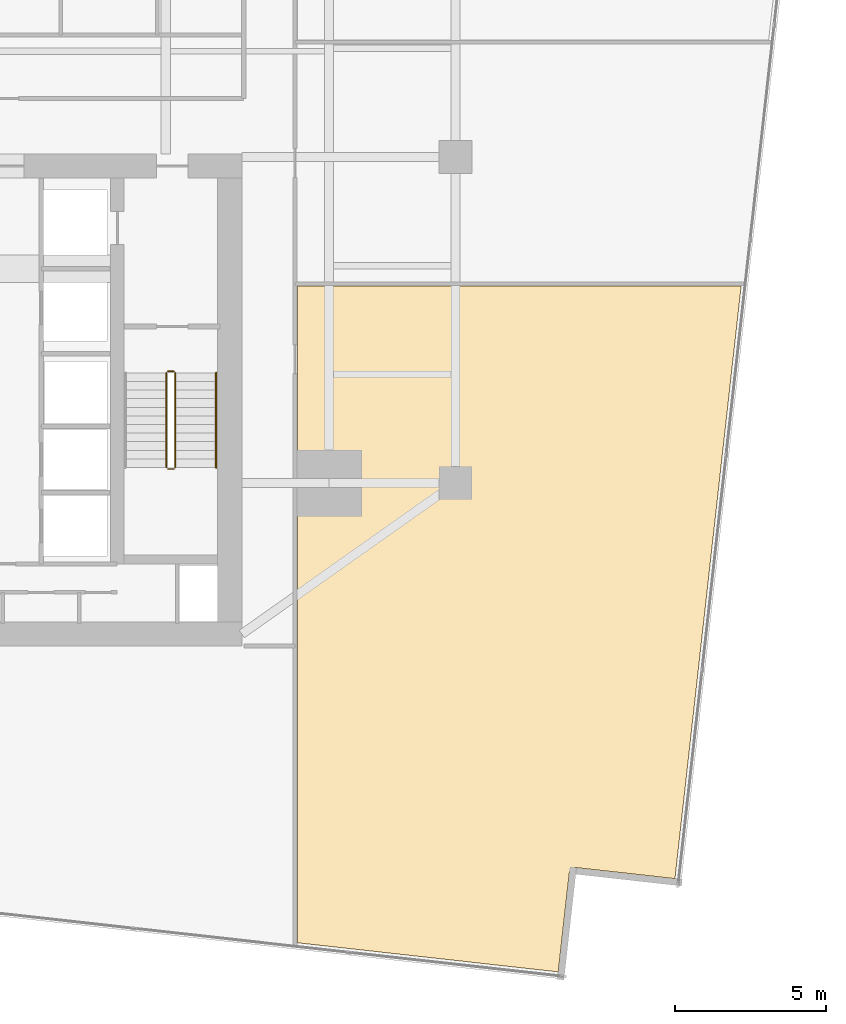
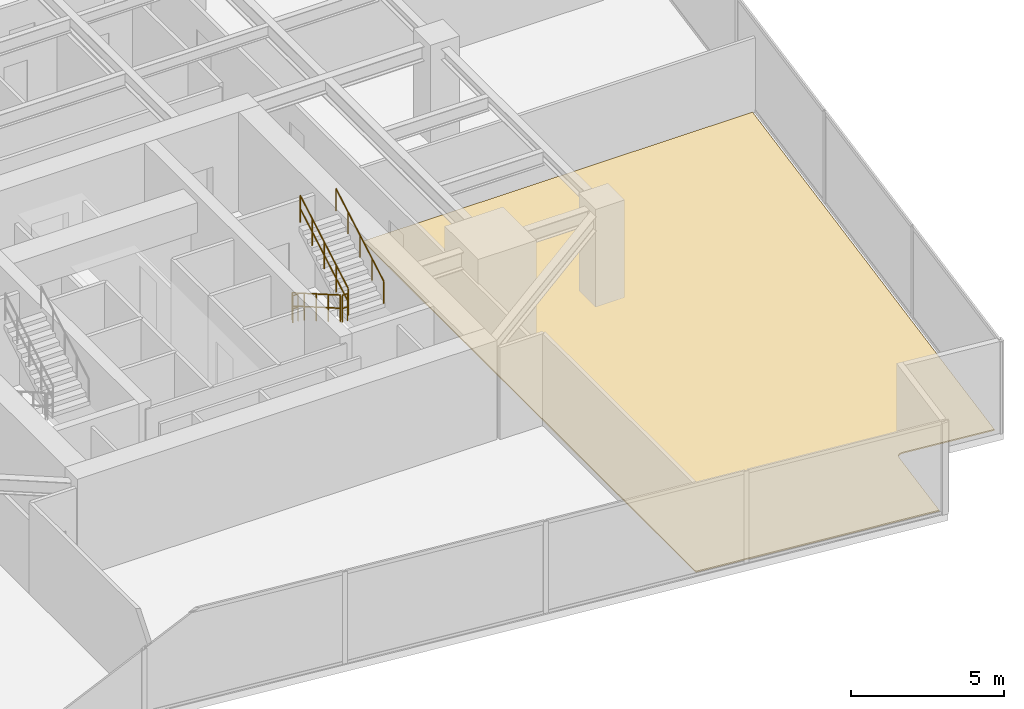
# One storey, part 29 of 31: 5 railings, 1 covering.
"""IFC4 building model written with IfcOpenShell, lengths in metres."""

import ifcopenshell
import ifcopenshell.guid

model = None  # the IFC model being written
_history = None  # IfcOwnerHistory: only IFC2X3 demands one
_inside = {}  # id of a spatial element -> (the spatial element, [elements in it])
_under = {}  # id of a project, library or spatial element -> (it, [spatial elements below it])
_declared = {}  # id of a project -> (the project, [libraries it declares])
_typed = {}  # id of a type object -> (the type object, [elements of that type])
_made_of = {}  # id of a material, layer set ... -> (it, [elements and type objects made of it])


def new_model(schema):
    """Start an empty IFC model of exactly this schema.

    Asked for "IFC4X3", IfcOpenShell would pick the latest addendum, in which some entities
    have other attributes; the version numbers below select the first issue.
    IFC2X3 requires an IfcOwnerHistory on every rooted entity: one is made here for all.
    """
    global model, _history
    if schema == "IFC4X3":
        model = ifcopenshell.file(schema_version=(4, 3, 0, 0))
    else:
        model = ifcopenshell.file(schema=schema)
    _inside.clear()
    _under.clear()
    _declared.clear()
    _typed.clear()
    _made_of.clear()
    _history = None
    if model.schema == "IFC2X3":
        org = make("IfcOrganization", Name="unknown")
        user = make(
            "IfcPersonAndOrganization",
            ThePerson=make("IfcPerson", FamilyName="unknown"),
            TheOrganization=org,
        )
        app = make(
            "IfcApplication",
            ApplicationDeveloper=org,
            Version="unknown",
            ApplicationFullName="unknown",
            ApplicationIdentifier="unknown",
        )
        _history = make(
            "IfcOwnerHistory",
            OwningUser=user,
            OwningApplication=app,
            ChangeAction="ADDED",
            CreationDate=0,
        )
    return model


def make(cls, **values):
    """One entity of the class cls with the attributes given. An attribute that is None is left unset."""
    return model.create_entity(
        cls, **{name: value for name, value in values.items() if value is not None}
    )


def rooted(cls, **values):
    """An entity with a GlobalId (a new one), such as an element, a storey or a relation."""
    return make(cls, GlobalId=ifcopenshell.guid.new(), OwnerHistory=_history, **values)


def si_unit(unit_type, name, prefix=None):
    """IfcSIUnit, for example si_unit("LENGTHUNIT", "METRE", prefix="MILLI")."""
    return make("IfcSIUnit", UnitType=unit_type, Prefix=prefix, Name=name)


def assignment(units):
    """IfcUnitAssignment: the units of a project."""
    return None if units is None else make("IfcUnitAssignment", Units=units)


def point(xyz):
    """IfcCartesianPoint."""
    return None if xyz is None else make("IfcCartesianPoint", Coordinates=xyz)


def direction(xyz):
    """IfcDirection."""
    return None if xyz is None else make("IfcDirection", DirectionRatios=xyz)


def frame(location, z_axis=None, x_axis=None):
    """IfcAxis2Placement3D, a coordinate frame: its origin and axes. An axis left out is left unset."""
    return make(
        "IfcAxis2Placement3D",
        Location=point(location),
        Axis=direction(z_axis),
        RefDirection=direction(x_axis),
    )


def frame_2d(location, x_axis=None):
    """IfcAxis2Placement2D, a coordinate frame in the plane: its origin and x axis."""
    return make(
        "IfcAxis2Placement2D", Location=point(location), RefDirection=direction(x_axis)
    )


def origin():
    """The frame at (0, 0, 0) with its axes left unset."""
    return frame((0.0, 0.0, 0.0))


def origin_2d():
    """The frame at (0, 0) in the plane with its x axis left unset."""
    return frame_2d((0.0, 0.0))


def place(relative_to, where):
    """IfcLocalPlacement: puts the frame where relative to a parent placement (None: the world)."""
    return make(
        "IfcLocalPlacement", PlacementRelTo=relative_to, RelativePlacement=where
    )


def context(
    kind, dimensions, precision=None, world=None, true_north=None, identifier=None
):
    """IfcGeometricRepresentationContext, for example the 3D "Model" context."""
    return make(
        "IfcGeometricRepresentationContext",
        ContextIdentifier=identifier,
        ContextType=kind,
        CoordinateSpaceDimension=dimensions,
        Precision=precision,
        WorldCoordinateSystem=world,
        TrueNorth=true_north,
    )


def subcontext(parent, identifier, kind, view, scale=None):
    """IfcGeometricRepresentationSubContext, for example "Body" below "Model"."""
    return make(
        "IfcGeometricRepresentationSubContext",
        ContextIdentifier=identifier,
        ContextType=kind,
        ParentContext=parent,
        TargetScale=scale,
        TargetView=view,
    )


def project(units=None, contexts=None):
    """IfcProject with its units and contexts."""
    return rooted(
        "IfcProject",
        Name="project",
        RepresentationContexts=contexts,
        UnitsInContext=assignment(units),
    )


def spatial(cls, under=None, at=None, **own):
    """A site, building, storey or space (cls), placed at a placement, below another one or the project."""
    s = rooted(cls, ObjectPlacement=at, **own)
    if under is not None:
        _under.setdefault(under.id(), (under, []))[1].append(s)
    return s


def polyline(points):
    """IfcPolyline through the points."""
    return make("IfcPolyline", Points=[point(p) for p in points])


def profile(cls, at=None, kind="AREA", **sizes):
    """A parametric profile (cls). Its sizes go by their IFC names, for example OverallWidth=200.0."""
    return make(cls, ProfileType=kind, Position=at, **sizes)


def circle(**sizes):
    """IfcCircleProfileDef."""
    return profile("IfcCircleProfileDef", **sizes)


def outline(outer, holes=None, kind="AREA"):
    """IfcArbitraryClosedProfileDef: a profile drawn as a closed curve; with holes, ...WithVoids."""
    if holes is None:
        return make("IfcArbitraryClosedProfileDef", ProfileType=kind, OuterCurve=outer)
    return make(
        "IfcArbitraryProfileDefWithVoids",
        ProfileType=kind,
        OuterCurve=outer,
        InnerCurves=holes,
    )


def extrude(swept, where, along, depth):
    """IfcExtrudedAreaSolid: the profile swept, set in the frame where, extruded along a direction by depth."""
    return make(
        "IfcExtrudedAreaSolid",
        SweptArea=swept,
        Position=where,
        ExtrudedDirection=direction(along),
        Depth=depth,
    )


def shape(context_of_items, identifier, shape_type, items):
    """IfcShapeRepresentation: the items that make up one representation, for example the "Body"."""
    return make(
        "IfcShapeRepresentation",
        ContextOfItems=context_of_items,
        RepresentationIdentifier=identifier,
        RepresentationType=shape_type,
        Items=items,
    )


def material(Name=None, Category=None):
    """IfcMaterial."""
    return make("IfcMaterial", Name=Name, Category=Category)


def layer(
    of_material, thickness, ventilated=None, Name=None, Category=None, Priority=None
):
    """IfcMaterialLayer: one layer of a wall or slab, of a material (None: an air gap)."""
    return make(
        "IfcMaterialLayer",
        Material=of_material,
        LayerThickness=thickness,
        IsVentilated=ventilated,
        Name=Name,
        Category=Category,
        Priority=Priority,
    )


def layer_set(layers, Name=None):
    """IfcMaterialLayerSet."""
    return make("IfcMaterialLayerSet", MaterialLayers=layers, LayerSetName=Name)


def made_of(thing, what):
    """Note that an element or type object is made of a material, layer set ...; save() writes the relation."""
    if what is not None:
        _made_of.setdefault(what.id(), (what, []))[1].append(thing)
    return thing


def type_object(cls, material=None, **own):
    """A type object (cls), such as IfcWallType, which elements share."""
    return made_of(rooted(cls, **own), material)


def element(
    cls,
    number,
    at=None,
    inside=None,
    cuts=None,
    type_object=None,
    material=None,
    context=None,
    identifier="Body",
    shape_type=None,
    held_by="IfcProductDefinitionShape",
    body=None,
    shapes=None,
    **own,
):
    """One element of the class cls, such as IfcWall. Its Tag is "e" and its number.

    at: its placement. inside: the storey or other place that contains it. cuts: it is an
    opening in that element (IfcRelVoidsElement). A single representation is given by context,
    identifier, shape_type and body (its items); several are given by shapes. held_by: the class
    of the entity that holds the representations. save() writes the other relations.
    """
    e = rooted(cls, Tag="e%d" % number, ObjectPlacement=at, **own)
    if body is not None:
        shapes = [shape(context, identifier, shape_type, body)]
    if shapes is not None:
        e.Representation = make(held_by, Representations=shapes)
    if inside is not None:
        _inside.setdefault(inside.id(), (inside, []))[1].append(e)
    if cuts is not None:
        rooted(
            "IfcRelVoidsElement", RelatingBuildingElement=cuts, RelatedOpeningElement=e
        )
    if type_object is not None:
        _typed.setdefault(type_object.id(), (type_object, []))[1].append(e)
    return made_of(e, material)


def aggregate(whole, parts):
    """IfcRelAggregates: a whole, such as a stair, and the parts it consists of."""
    return rooted("IfcRelAggregates", RelatingObject=whole, RelatedObjects=parts)


def save(model, path):
    """Write the relations noted so far, then the file.

    IfcRelAggregates (storeys below a building ...), IfcRelContainedInSpatialStructure (elements
    in a storey), IfcRelDefinesByType, IfcRelAssociatesMaterial and IfcRelDeclares: one each for
    every whole, place, type object, material and project.
    """
    for whole, parts in _under.values():
        aggregate(whole, parts)
    for where, things in _inside.values():
        rooted(
            "IfcRelContainedInSpatialStructure",
            RelatedElements=things,
            RelatingStructure=where,
        )
    for kind, things in _typed.values():
        rooted("IfcRelDefinesByType", RelatedObjects=things, RelatingType=kind)
    for what, things in _made_of.values():
        rooted("IfcRelAssociatesMaterial", RelatedObjects=things, RelatingMaterial=what)
    for by, libraries in _declared.values():
        rooted("IfcRelDeclares", RelatingContext=by, RelatedDefinitions=libraries)
    model.write(path)


model = new_model("IFC4")

# Units and contexts
model_context = context("Model", 3, precision=1e-05, world=origin(), true_north=direction((0.0, 1.0)))
body_context = subcontext(model_context, "Body", "Model", "MODEL_VIEW")
ifc_project = project(units=[si_unit("LENGTHUNIT", "METRE"), si_unit("AREAUNIT", "SQUARE_METRE"), si_unit("VOLUMEUNIT", "CUBIC_METRE"), si_unit("PLANEANGLEUNIT", "RADIAN"), si_unit("MASSUNIT", "GRAM", prefix="KILO")], contexts=[model_context])

# Site, building, storey
site_placement = place(None, origin())
site = spatial("IfcSite", under=ifc_project, at=site_placement, CompositionType="ELEMENT")
building_placement = place(site_placement, origin())
building = spatial("IfcBuilding", under=site, at=building_placement, Name="Krantzveldt Concourse Tower", CompositionType="ELEMENT")
storey_placement = place(building_placement, frame((0.0, 0.0, 56.60009765625)))
storey = spatial("IfcBuildingStorey", under=building, at=storey_placement, Name="L13", CompositionType="ELEMENT", Elevation=56.60009765625)

# Covering
ifc_material_1 = material(Name="Calcium-sulphate raised access floor panel", Category="flooring")
ifc_layer_1 = layer(ifc_material_1, 0.050048828125, Name="Calcium-sulphate raised access floor panel", Category="flooring")
ifc_layer_set_1 = layer_set([ifc_layer_1], Name="Calcium-sulphate raised access floor panel (COV-FLOOR-RAISED)")
covering_type = type_object("IfcCoveringType", Name="COV-FLOOR-RAISED", PredefinedType="FLOORING", material=ifc_layer_set_1)
covering_placement = place(storey_placement, origin())
element("IfcCovering", 1, at=covering_placement, inside=storey, type_object=covering_type, Name="FLR-SP-L13-ER1", PredefinedType="FLOORING", context=body_context, shape_type="SweptSolid", body=[
    extrude(outline(polyline([(60.4560546875, 22.419921875), (58.263916015625, 2.800048828125), (55.004150390625, 3.164306640625), (54.982666015625, 3.165771484375), (54.961181640625, 3.164794921875), (54.939697265625, 3.162109375), (54.918701171875, 3.156982421875), (54.898193359375, 3.150146484375), (54.878662109375, 3.14111328125), (54.85986328125, 3.130126953125), (54.842529296875, 3.11767578125), (54.826171875, 3.103271484375), (54.8115234375, 3.08740234375), (54.798583984375, 3.0703125), (54.787109375, 3.052001953125), (54.777587890625, 3.032470703125), (54.77001953125, 3.01220703125), (54.7646484375, 2.991455078125), (54.76123046875, 2.97021484375), (54.39697265625, -0.28955078125), (45.760009765625, 0.67529296875), (45.760009765625, 22.419921875), (60.4560546875, 22.419921875)])), origin(), (0.0, 0.0, 1.0), 0.0498046875),
])

# Railings
ifc_material_2 = material(Name="Stainless steel 316L", Category="steel")
ifc_layer_2 = layer(ifc_material_2, 0.06005859375, Name="Stainless steel 316L", Category="steel")
ifc_layer_set_2 = layer_set([ifc_layer_2], Name="Stainless steel 316L (RL-GUARD-1120)")
railing_type_1 = type_object("IfcRailingType", Name="RL-GUARD-1120", PredefinedType="GUARDRAIL", material=ifc_layer_set_2)
railing_1_placement = place(storey_placement, frame((41.419921875, 19.550048828125, 0.16455078125)))
element("IfcRailing", 2, at=railing_1_placement, inside=storey, type_object=railing_type_1, Name="L13 ST-2 stair guard 1", PredefinedType="GUARDRAIL", context=body_context, shape_type="SweptSolid", body=[
    extrude(circle(Radius=0.02392578125, at=origin_2d()), frame((0.0, 0.0, 1.076171875), z_axis=(0.0, -0.865989039225, 0.500062979975), x_axis=(1.0, 0.0, 0.0)), (0.0, 0.0, 1.0), 3.6201171875),
    extrude(circle(Radius=0.02392578125, at=origin_2d()), frame((0.0, 0.0, 0.550048828125), z_axis=(0.0, -0.865989039225, 0.500062979975), x_axis=(1.0, 0.0, 0.0)), (0.0, 0.0, 1.0), 3.6201171875),
    extrude(circle(Radius=0.02099609375, at=origin_2d()), origin(), (0.0, 0.0, 1.0), 1.052001953125),
    extrude(circle(Radius=0.02099609375, at=origin_2d()), frame((0.0, -0.78369140625, 0.45263671875)), (0.0, 0.0, 1.0), 1.052001953125),
    extrude(circle(Radius=0.02099609375, at=origin_2d()), frame((0.0, -1.5673828125, 0.9052734375)), (0.0, 0.0, 1.0), 1.052001953125),
    extrude(circle(Radius=0.02099609375, at=origin_2d()), frame((0.0, -2.351318359375, 1.357666015625)), (0.0, 0.0, 1.0), 1.052001953125),
    extrude(circle(Radius=0.02099609375, at=origin_2d()), frame((0.0, -3.135009765625, 1.810302734375)), (0.0, 0.0, 1.0), 1.052001953125),
])
railing_2_placement = place(storey_placement, frame((41.469970703125, 16.364990234375, 1.974853515625)))
element("IfcRailing", 3, at=railing_2_placement, inside=storey, type_object=railing_type_1, Name="L13 ST-2 stair guard 2", PredefinedType="GUARDRAIL", context=body_context, shape_type="SweptSolid", body=[
    extrude(circle(Radius=0.02392578125, at=origin_2d()), frame((0.0, 0.0, 1.076171875), z_axis=(1.0, 0.0, 0.0), x_axis=(0.0, 1.0, 0.0)), (0.0, 0.0, 1.0), 0.199951171875),
    extrude(circle(Radius=0.02392578125, at=origin_2d()), frame((0.0, 0.0, 0.550048828125), z_axis=(1.0, 0.0, 0.0), x_axis=(0.0, 1.0, 0.0)), (0.0, 0.0, 1.0), 0.199951171875),
    extrude(circle(Radius=0.02099609375, at=origin_2d()), origin(), (0.0, 0.0, 1.0), 1.052001953125),
    extrude(circle(Radius=0.02099609375, at=origin_2d()), frame((0.199951171875, 0.0, 0.0)), (0.0, 0.0, 1.0), 1.052001953125),
])
railing_3_placement = place(storey_placement, frame((41.719970703125, 16.4150390625, 2.139404296875)))
element("IfcRailing", 4, at=railing_3_placement, inside=storey, type_object=railing_type_1, Name="L13 ST-2 stair guard 3", PredefinedType="GUARDRAIL", context=body_context, shape_type="SweptSolid", body=[
    extrude(circle(Radius=0.02392578125, at=origin_2d()), frame((0.0, 0.0, 1.076171875), z_axis=(0.0, 0.865959834175, 0.500113552702), x_axis=(-1.0, 0.0, 0.0)), (0.0, 0.0, 1.0), 3.620361328125),
    extrude(circle(Radius=0.02392578125, at=origin_2d()), frame((0.0, 0.0, 0.550048828125), z_axis=(0.0, 0.865959834175, 0.500113552702), x_axis=(-1.0, 0.0, 0.0)), (0.0, 0.0, 1.0), 3.620361328125),
    extrude(circle(Radius=0.02099609375, at=origin_2d()), origin(), (0.0, 0.0, 1.0), 1.052001953125),
    extrude(circle(Radius=0.02099609375, at=origin_2d()), frame((0.0, 0.78369140625, 0.45263671875)), (0.0, 0.0, 1.0), 1.052001953125),
    extrude(circle(Radius=0.02099609375, at=origin_2d()), frame((0.0, 1.5673828125, 0.9052734375)), (0.0, 0.0, 1.0), 1.052001953125),
    extrude(circle(Radius=0.02099609375, at=origin_2d()), frame((0.0, 2.351318359375, 1.35791015625)), (0.0, 0.0, 1.0), 1.052001953125),
    extrude(circle(Radius=0.02099609375, at=origin_2d()), frame((0.0, 3.135009765625, 1.810546875)), (0.0, 0.0, 1.0), 1.052001953125),
])
railing_4_placement = place(storey_placement, frame((41.469970703125, 19.60009765625, 0.0)))
element("IfcRailing", 5, at=railing_4_placement, inside=storey, type_object=railing_type_1, Name="L13 ST-2 stair guard 4", PredefinedType="GUARDRAIL", context=body_context, shape_type="SweptSolid", body=[
    extrude(circle(Radius=0.02392578125, at=origin_2d()), frame((0.0, 0.0, 1.076171875), z_axis=(1.0, 0.0, 0.0), x_axis=(0.0, 1.0, 0.0)), (0.0, 0.0, 1.0), 0.199951171875),
    extrude(circle(Radius=0.02392578125, at=origin_2d()), frame((0.0, 0.0, 0.550048828125), z_axis=(1.0, 0.0, 0.0), x_axis=(0.0, 1.0, 0.0)), (0.0, 0.0, 1.0), 0.199951171875),
    extrude(circle(Radius=0.02099609375, at=origin_2d()), origin(), (0.0, 0.0, 1.0), 1.052001953125),
    extrude(circle(Radius=0.02099609375, at=origin_2d()), frame((0.199951171875, 0.0, 0.0)), (0.0, 0.0, 1.0), 1.052001953125),
])
ifc_layer_3 = layer(ifc_material_2, 0.050048828125, Name="Stainless steel 316L", Category="steel")
ifc_layer_set_3 = layer_set([ifc_layer_3], Name="Stainless steel 316L (RL-HANDRAIL-920)")
railing_type_2 = type_object("IfcRailingType", Name="RL-HANDRAIL-920", PredefinedType="HANDRAIL", material=ifc_layer_set_3)
railing_5_placement = place(storey_placement, frame((43.070068359375, 16.4150390625, 2.139404296875)))
element("IfcRailing", 6, at=railing_5_placement, inside=storey, type_object=railing_type_2, Name="L13 ST-2 stair handrail 2", PredefinedType="HANDRAIL", context=body_context, shape_type="SweptSolid", body=[
    extrude(circle(Radius=0.02392578125, at=origin_2d()), frame((0.0, 0.0, 0.8759765625), z_axis=(0.0, 0.865959834175, 0.500113552702), x_axis=(-1.0, 0.0, 0.0)), (0.0, 0.0, 1.0), 3.620361328125),
    extrude(circle(Radius=0.02099609375, at=origin_2d()), origin(), (0.0, 0.0, 1.0), 0.851806640625),
    extrude(circle(Radius=0.02099609375, at=origin_2d()), frame((0.0, 0.78369140625, 0.45263671875)), (0.0, 0.0, 1.0), 0.851806640625),
    extrude(circle(Radius=0.02099609375, at=origin_2d()), frame((0.0, 1.5673828125, 0.9052734375)), (0.0, 0.0, 1.0), 0.851806640625),
    extrude(circle(Radius=0.02099609375, at=origin_2d()), frame((0.0, 2.351318359375, 1.35791015625)), (0.0, 0.0, 1.0), 0.851806640625),
    extrude(circle(Radius=0.02099609375, at=origin_2d()), frame((0.0, 3.135009765625, 1.810546875)), (0.0, 0.0, 1.0), 0.851806640625),
])

save(model, "model.ifc")
